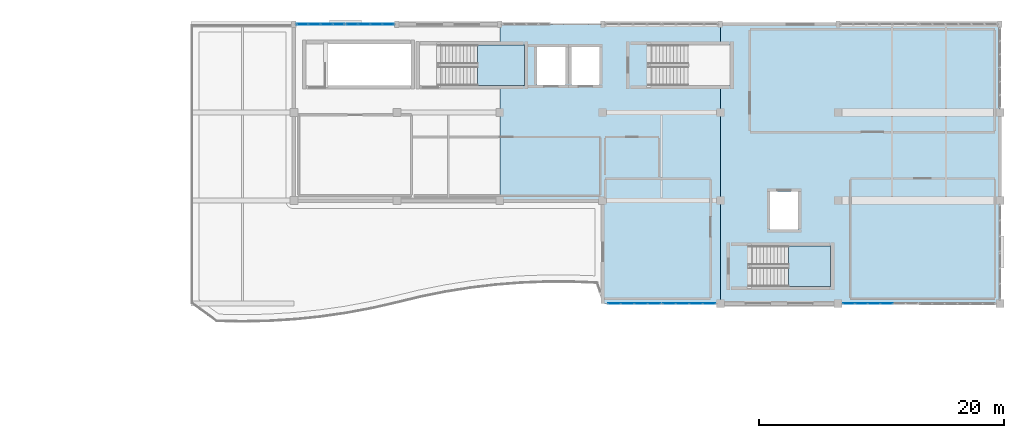
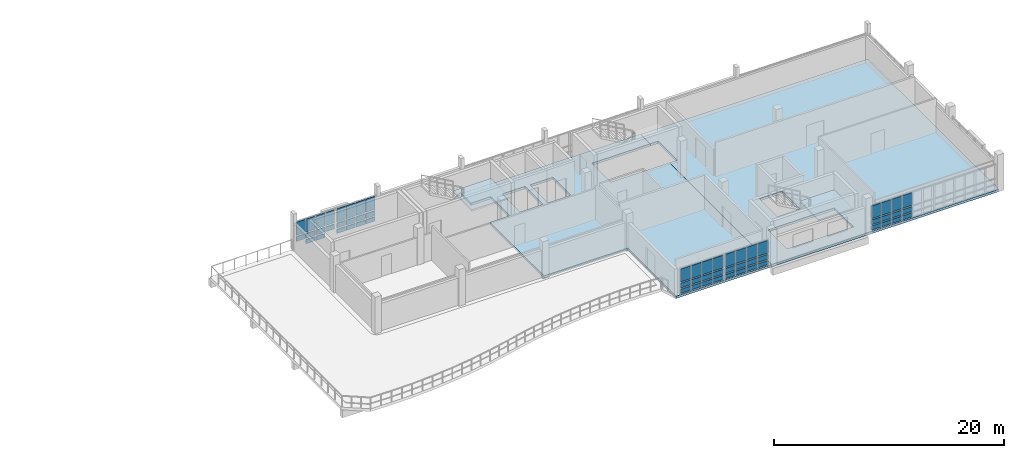
# One storey, part 17 of 25: 58 plates, 4 slabs, 7 elements without a shape of their own.
"""IFC4 building model written with IfcOpenShell, lengths in metres."""

from ifc_helpers import new_model, si_unit, direction, frame, origin, origin_2d, place, context, subcontext, project, spatial, polyline, rectangle, outline, extrude, material, layer, layer_set, type_object, element, aggregate, save


model = new_model("IFC4")

# Units and contexts
model_context = context("Model", 3, precision=1e-05, world=origin(), true_north=direction((0.0, 1.0)))
body_context = subcontext(model_context, "Body", "Model", "MODEL_VIEW")
ifc_project = project(units=[si_unit("LENGTHUNIT", "METRE"), si_unit("AREAUNIT", "SQUARE_METRE"), si_unit("VOLUMEUNIT", "CUBIC_METRE"), si_unit("PLANEANGLEUNIT", "RADIAN"), si_unit("MASSUNIT", "GRAM", prefix="KILO")], contexts=[model_context])

# Site, building, storey
site_placement = place(None, origin())
site = spatial("IfcSite", under=ifc_project, at=site_placement, CompositionType="ELEMENT")
building_placement = place(site_placement, origin())
building = spatial("IfcBuilding", under=site, at=building_placement, Name="Kisaragi Civic Commons", CompositionType="ELEMENT")
storey_placement = place(building_placement, frame((0.0, 0.0, 13.5)))
storey = spatial("IfcBuildingStorey", under=building, at=storey_placement, Name="L03", CompositionType="ELEMENT", Elevation=13.5)

# Curtain wall, plates
ifc_material_1 = material(Name="Thermally broken anodized aluminium and low-E double glazing", Category="aluminium")
ifc_layer_1 = layer(ifc_material_1, 0.179931640625, Name="Thermally broken anodized aluminium and low-E double glazing", Category="aluminium")
ifc_layer_set_1 = layer_set([ifc_layer_1], Name="Thermally broken anodized aluminium and low-E double glazing")
curtain_wall_type = type_object("IfcCurtainWallType", Name="CW-01", PredefinedType="NOTDEFINED", material=ifc_layer_set_1)
curtain_wall_1_placement = place(storey_placement, origin())
curtain_wall_1 = element("IfcCurtainWall", 1, at=curtain_wall_1_placement, inside=storey, type_object=curtain_wall_type, Name="L03 curtain wall CW-01 CW-V4-L03-108", PredefinedType="NOTDEFINED")
ifc_layer_2 = layer(ifc_material_1, 0.048095703125, Name="Thermally broken anodized aluminium and low-E double glazing", Category="aluminium")
ifc_layer_set_2 = layer_set([ifc_layer_2], Name="Thermally broken anodized aluminium and low-E double glazing")
plate_type_1 = type_object("IfcPlateType", Name="CWP-05", PredefinedType="CURTAIN_PANEL", material=ifc_layer_set_2)
plate_1_placement = place(storey_placement, frame((137.168212890625, 96.0, 0.14013671875), z_axis=(0.0, 0.0, 1.0), x_axis=(-1.0, 0.0, 0.0)))
plate_1 = element("IfcPlate", 2, at=plate_1_placement, type_object=plate_type_1, Name="CW-01 panel 3.1", PredefinedType="CURTAIN_PANEL", context=body_context, shape_type="SweptSolid", body=[
    extrude(rectangle(XDim=0.9716796875, YDim=0.048095703125, at=origin_2d()), origin(), (0.0, 0.0, 1.0), 0.43994140625),
])
plate_2_placement = place(storey_placement, frame((137.168212890625, 96.0, 0.72021484375), z_axis=(0.0, 0.0, 1.0), x_axis=(-1.0, 0.0, 0.0)))
plate_2 = element("IfcPlate", 3, at=plate_2_placement, type_object=plate_type_1, Name="CW-01 panel 3.2", PredefinedType="CURTAIN_PANEL", context=body_context, shape_type="SweptSolid", body=[
    extrude(rectangle(XDim=0.9716796875, YDim=0.048095703125, at=origin_2d()), origin(), (0.0, 0.0, 1.0), 0.510009765625),
])
plate_3_placement = place(storey_placement, frame((137.168212890625, 96.0, 1.3701171875), z_axis=(0.0, 0.0, 1.0), x_axis=(-1.0, 0.0, 0.0)))
plate_3 = element("IfcPlate", 4, at=plate_3_placement, type_object=plate_type_1, Name="CW-01 panel 3.3", PredefinedType="CURTAIN_PANEL", context=body_context, shape_type="SweptSolid", body=[
    extrude(rectangle(XDim=0.9716796875, YDim=0.048095703125, at=origin_2d()), origin(), (0.0, 0.0, 1.0), 1.344970703125),
])
plate_4_placement = place(storey_placement, frame((136.131591796875, 96.0, 0.14013671875), z_axis=(0.0, 0.0, 1.0), x_axis=(-1.0, 0.0, 0.0)))
plate_4 = element("IfcPlate", 5, at=plate_4_placement, type_object=plate_type_1, Name="CW-01 panel 4.1", PredefinedType="CURTAIN_PANEL", context=body_context, shape_type="SweptSolid", body=[
    extrude(rectangle(XDim=0.9716796875, YDim=0.048095703125, at=origin_2d()), origin(), (0.0, 0.0, 1.0), 0.43994140625),
])
plate_5_placement = place(storey_placement, frame((136.131591796875, 96.0, 0.72021484375), z_axis=(0.0, 0.0, 1.0), x_axis=(-1.0, 0.0, 0.0)))
plate_5 = element("IfcPlate", 6, at=plate_5_placement, type_object=plate_type_1, Name="CW-01 panel 4.2", PredefinedType="CURTAIN_PANEL", context=body_context, shape_type="SweptSolid", body=[
    extrude(rectangle(XDim=0.9716796875, YDim=0.048095703125, at=origin_2d()), origin(), (0.0, 0.0, 1.0), 0.510009765625),
])
plate_6_placement = place(storey_placement, frame((136.131591796875, 96.0, 1.3701171875), z_axis=(0.0, 0.0, 1.0), x_axis=(-1.0, 0.0, 0.0)))
plate_6 = element("IfcPlate", 7, at=plate_6_placement, type_object=plate_type_1, Name="CW-01 panel 4.3", PredefinedType="CURTAIN_PANEL", context=body_context, shape_type="SweptSolid", body=[
    extrude(rectangle(XDim=0.9716796875, YDim=0.048095703125, at=origin_2d()), origin(), (0.0, 0.0, 1.0), 1.344970703125),
])
plate_7_placement = place(storey_placement, frame((135.094970703125, 96.0, 0.14013671875), z_axis=(0.0, 0.0, 1.0), x_axis=(-1.0, 0.0, 0.0)))
plate_7 = element("IfcPlate", 8, at=plate_7_placement, type_object=plate_type_1, Name="CW-01 panel 5.1", PredefinedType="CURTAIN_PANEL", context=body_context, shape_type="SweptSolid", body=[
    extrude(rectangle(XDim=0.9716796875, YDim=0.048095703125, at=origin_2d()), origin(), (0.0, 0.0, 1.0), 0.43994140625),
])
plate_8_placement = place(storey_placement, frame((135.094970703125, 96.0, 0.72021484375), z_axis=(0.0, 0.0, 1.0), x_axis=(-1.0, 0.0, 0.0)))
plate_8 = element("IfcPlate", 9, at=plate_8_placement, type_object=plate_type_1, Name="CW-01 panel 5.2", PredefinedType="CURTAIN_PANEL", context=body_context, shape_type="SweptSolid", body=[
    extrude(rectangle(XDim=0.9716796875, YDim=0.048095703125, at=origin_2d()), origin(), (0.0, 0.0, 1.0), 0.510009765625),
])
plate_9_placement = place(storey_placement, frame((135.094970703125, 96.0, 1.3701171875), z_axis=(0.0, 0.0, 1.0), x_axis=(-1.0, 0.0, 0.0)))
plate_9 = element("IfcPlate", 10, at=plate_9_placement, type_object=plate_type_1, Name="CW-01 panel 5.3", PredefinedType="CURTAIN_PANEL", context=body_context, shape_type="SweptSolid", body=[
    extrude(rectangle(XDim=0.9716796875, YDim=0.048095703125, at=origin_2d()), origin(), (0.0, 0.0, 1.0), 1.344970703125),
])
plate_10_placement = place(storey_placement, frame((134.074462890625, 96.0, 0.14013671875), z_axis=(0.0, 0.0, 1.0), x_axis=(-1.0, 0.0, 0.0)))
plate_10 = element("IfcPlate", 11, at=plate_10_placement, type_object=plate_type_1, Name="CW-01 panel 6.1", PredefinedType="CURTAIN_PANEL", context=body_context, shape_type="SweptSolid", body=[
    extrude(rectangle(XDim=0.939208984375, YDim=0.048095703125, at=origin_2d()), origin(), (0.0, 0.0, 1.0), 0.43994140625),
])
plate_11_placement = place(storey_placement, frame((134.074462890625, 96.0, 0.72021484375), z_axis=(0.0, 0.0, 1.0), x_axis=(-1.0, 0.0, 0.0)))
plate_11 = element("IfcPlate", 12, at=plate_11_placement, type_object=plate_type_1, Name="CW-01 panel 6.2", PredefinedType="CURTAIN_PANEL", context=body_context, shape_type="SweptSolid", body=[
    extrude(rectangle(XDim=0.939208984375, YDim=0.048095703125, at=origin_2d()), origin(), (0.0, 0.0, 1.0), 0.510009765625),
])
plate_12_placement = place(storey_placement, frame((134.074462890625, 96.0, 1.3701171875), z_axis=(0.0, 0.0, 1.0), x_axis=(-1.0, 0.0, 0.0)))
plate_12 = element("IfcPlate", 13, at=plate_12_placement, type_object=plate_type_1, Name="CW-01 panel 6.3", PredefinedType="CURTAIN_PANEL", context=body_context, shape_type="SweptSolid", body=[
    extrude(rectangle(XDim=0.939208984375, YDim=0.048095703125, at=origin_2d()), origin(), (0.0, 0.0, 1.0), 1.344970703125),
])
aggregate(curtain_wall_1, [plate_1, plate_2, plate_3, plate_4, plate_5, plate_6, plate_7, plate_8, plate_9, plate_10, plate_11, plate_12])

curtain_wall_2_placement = place(storey_placement, origin())
curtain_wall_2 = element("IfcCurtainWall", 14, at=curtain_wall_2_placement, inside=storey, type_object=curtain_wall_type, Name="L03 curtain wall CW-01 CW-V4-L03-109", PredefinedType="NOTDEFINED")
ifc_layer_3 = layer(ifc_material_1, 0.055908203125, Name="Thermally broken anodized aluminium and low-E double glazing", Category="aluminium")
ifc_layer_set_3 = layer_set([ifc_layer_3], Name="Thermally broken anodized aluminium and low-E double glazing")
plate_type_2 = type_object("IfcPlateType", Name="CWP-06", PredefinedType="CURTAIN_PANEL", material=ifc_layer_set_3)
plate_13_placement = place(storey_placement, frame((122.69384765625, 96.0, 0.14013671875), z_axis=(0.0, 0.0, 1.0), x_axis=(-1.0, 0.0, 0.0)))
plate_13 = element("IfcPlate", 15, at=plate_13_placement, type_object=plate_type_2, Name="CW-01 panel 1.1", PredefinedType="CURTAIN_PANEL", context=body_context, shape_type="SweptSolid", body=[
    extrude(rectangle(XDim=1.00244140625, YDim=0.055908203125, at=origin_2d()), origin(), (0.0, 0.0, 1.0), 0.43994140625),
])
plate_14_placement = place(storey_placement, frame((122.69384765625, 96.0, 0.72021484375), z_axis=(0.0, 0.0, 1.0), x_axis=(-1.0, 0.0, 0.0)))
plate_14 = element("IfcPlate", 16, at=plate_14_placement, type_object=plate_type_2, Name="CW-01 panel 1.2", PredefinedType="CURTAIN_PANEL", context=body_context, shape_type="SweptSolid", body=[
    extrude(rectangle(XDim=1.00244140625, YDim=0.055908203125, at=origin_2d()), origin(), (0.0, 0.0, 1.0), 0.510009765625),
])
plate_15_placement = place(storey_placement, frame((122.69384765625, 96.0, 1.3701171875), z_axis=(0.0, 0.0, 1.0), x_axis=(-1.0, 0.0, 0.0)))
plate_15 = element("IfcPlate", 17, at=plate_15_placement, type_object=plate_type_2, Name="CW-01 panel 1.3", PredefinedType="CURTAIN_PANEL", context=body_context, shape_type="SweptSolid", body=[
    extrude(rectangle(XDim=1.00244140625, YDim=0.055908203125, at=origin_2d()), origin(), (0.0, 0.0, 1.0), 1.344970703125),
])
plate_16_placement = place(storey_placement, frame((121.610107421875, 96.0, 0.14013671875), z_axis=(0.0, 0.0, 1.0), x_axis=(-1.0, 0.0, 0.0)))
plate_16 = element("IfcPlate", 18, at=plate_16_placement, type_object=plate_type_2, Name="CW-01 panel 2.1", PredefinedType="CURTAIN_PANEL", context=body_context, shape_type="SweptSolid", body=[
    extrude(rectangle(XDim=1.034912109375, YDim=0.055908203125, at=origin_2d()), origin(), (0.0, 0.0, 1.0), 0.43994140625),
])
plate_17_placement = place(storey_placement, frame((121.610107421875, 96.0, 0.72021484375), z_axis=(0.0, 0.0, 1.0), x_axis=(-1.0, 0.0, 0.0)))
plate_17 = element("IfcPlate", 19, at=plate_17_placement, type_object=plate_type_2, Name="CW-01 panel 2.2", PredefinedType="CURTAIN_PANEL", context=body_context, shape_type="SweptSolid", body=[
    extrude(rectangle(XDim=1.034912109375, YDim=0.055908203125, at=origin_2d()), origin(), (0.0, 0.0, 1.0), 0.510009765625),
])
plate_18_placement = place(storey_placement, frame((121.610107421875, 96.0, 1.3701171875), z_axis=(0.0, 0.0, 1.0), x_axis=(-1.0, 0.0, 0.0)))
plate_18 = element("IfcPlate", 20, at=plate_18_placement, type_object=plate_type_2, Name="CW-01 panel 2.3", PredefinedType="CURTAIN_PANEL", context=body_context, shape_type="SweptSolid", body=[
    extrude(rectangle(XDim=1.034912109375, YDim=0.055908203125, at=origin_2d()), origin(), (0.0, 0.0, 1.0), 1.344970703125),
])
plate_19_placement = place(storey_placement, frame((120.510009765625, 96.0, 0.14013671875), z_axis=(0.0, 0.0, 1.0), x_axis=(-1.0, 0.0, 0.0)))
plate_19 = element("IfcPlate", 21, at=plate_19_placement, type_object=plate_type_2, Name="CW-01 panel 3.1", PredefinedType="CURTAIN_PANEL", context=body_context, shape_type="SweptSolid", body=[
    extrude(rectangle(XDim=1.034912109375, YDim=0.055908203125, at=origin_2d()), origin(), (0.0, 0.0, 1.0), 0.43994140625),
])
plate_20_placement = place(storey_placement, frame((120.510009765625, 96.0, 0.72021484375), z_axis=(0.0, 0.0, 1.0), x_axis=(-1.0, 0.0, 0.0)))
plate_20 = element("IfcPlate", 22, at=plate_20_placement, type_object=plate_type_2, Name="CW-01 panel 3.2", PredefinedType="CURTAIN_PANEL", context=body_context, shape_type="SweptSolid", body=[
    extrude(rectangle(XDim=1.034912109375, YDim=0.055908203125, at=origin_2d()), origin(), (0.0, 0.0, 1.0), 0.510009765625),
])
plate_21_placement = place(storey_placement, frame((120.510009765625, 96.0, 1.3701171875), z_axis=(0.0, 0.0, 1.0), x_axis=(-1.0, 0.0, 0.0)))
plate_21 = element("IfcPlate", 23, at=plate_21_placement, type_object=plate_type_2, Name="CW-01 panel 3.3", PredefinedType="CURTAIN_PANEL", context=body_context, shape_type="SweptSolid", body=[
    extrude(rectangle(XDim=1.034912109375, YDim=0.055908203125, at=origin_2d()), origin(), (0.0, 0.0, 1.0), 1.344970703125),
])
plate_22_placement = place(storey_placement, frame((119.42626953125, 96.0, 0.14013671875), z_axis=(0.0, 0.0, 1.0), x_axis=(-1.0, 0.0, 0.0)))
plate_22 = element("IfcPlate", 24, at=plate_22_placement, type_object=plate_type_2, Name="CW-01 panel 4.1", PredefinedType="CURTAIN_PANEL", context=body_context, shape_type="SweptSolid", body=[
    extrude(rectangle(XDim=1.00244140625, YDim=0.055908203125, at=origin_2d()), origin(), (0.0, 0.0, 1.0), 0.43994140625),
])
plate_23_placement = place(storey_placement, frame((119.42626953125, 96.0, 0.72021484375), z_axis=(0.0, 0.0, 1.0), x_axis=(-1.0, 0.0, 0.0)))
plate_23 = element("IfcPlate", 25, at=plate_23_placement, type_object=plate_type_2, Name="CW-01 panel 4.2", PredefinedType="CURTAIN_PANEL", context=body_context, shape_type="SweptSolid", body=[
    extrude(rectangle(XDim=1.00244140625, YDim=0.055908203125, at=origin_2d()), origin(), (0.0, 0.0, 1.0), 0.510009765625),
])
plate_24_placement = place(storey_placement, frame((119.42626953125, 96.0, 1.3701171875), z_axis=(0.0, 0.0, 1.0), x_axis=(-1.0, 0.0, 0.0)))
plate_24 = element("IfcPlate", 26, at=plate_24_placement, type_object=plate_type_2, Name="CW-01 panel 4.3", PredefinedType="CURTAIN_PANEL", context=body_context, shape_type="SweptSolid", body=[
    extrude(rectangle(XDim=1.00244140625, YDim=0.055908203125, at=origin_2d()), origin(), (0.0, 0.0, 1.0), 1.344970703125),
])
aggregate(curtain_wall_2, [plate_13, plate_14, plate_15, plate_16, plate_17, plate_18, plate_19, plate_20, plate_21, plate_22, plate_23, plate_24])

curtain_wall_3_placement = place(storey_placement, origin())
curtain_wall_3 = element("IfcCurtainWall", 27, at=curtain_wall_3_placement, inside=storey, type_object=curtain_wall_type, Name="L03 curtain wall CW-01 CW-V4-L03-095", PredefinedType="NOTDEFINED")
ifc_layer_4 = layer(ifc_material_1, 0.06005859375, Name="Thermally broken anodized aluminium and low-E double glazing", Category="aluminium")
ifc_layer_set_4 = layer_set([ifc_layer_4], Name="Thermally broken anodized aluminium and low-E double glazing")
plate_type_3 = type_object("IfcPlateType", Name="CWP-07", PredefinedType="CURTAIN_PANEL", material=ifc_layer_set_4)
plate_25_placement = place(storey_placement, frame((89.50244140625, 118.800048828125, 0.72021484375), z_axis=(0.0, 0.0, 1.0), x_axis=(1.0, 0.0, 0.0)))
plate_25 = element("IfcPlate", 28, at=plate_25_placement, type_object=plate_type_3, Name="CW-01 panel 1.2", PredefinedType="CURTAIN_PANEL", context=body_context, shape_type="SweptSolid", body=[
    extrude(rectangle(XDim=0.89501953125, YDim=0.06005859375, at=origin_2d()), origin(), (0.0, 0.0, 1.0), 0.510009765625),
])
plate_26_placement = place(storey_placement, frame((89.50244140625, 118.800048828125, 1.369873046875), z_axis=(0.0, 0.0, 1.0), x_axis=(1.0, 0.0, 0.0)))
plate_26 = element("IfcPlate", 29, at=plate_26_placement, type_object=plate_type_3, Name="CW-01 panel 1.3", PredefinedType="CURTAIN_PANEL", context=body_context, shape_type="SweptSolid", body=[
    extrude(rectangle(XDim=0.89501953125, YDim=0.06005859375, at=origin_2d()), origin(), (0.0, 0.0, 1.0), 1.39501953125),
])
plate_27_placement = place(storey_placement, frame((90.478759765625, 118.800048828125, 0.14013671875), z_axis=(0.0, 0.0, 1.0), x_axis=(1.0, 0.0, 0.0)))
plate_27 = element("IfcPlate", 30, at=plate_27_placement, type_object=plate_type_3, Name="CW-01 panel 2.1", PredefinedType="CURTAIN_PANEL", context=body_context, shape_type="SweptSolid", body=[
    extrude(rectangle(XDim=0.927490234375, YDim=0.06005859375, at=origin_2d()), origin(), (0.0, 0.0, 1.0), 0.43994140625),
])
plate_28_placement = place(storey_placement, frame((90.478759765625, 118.800048828125, 0.72021484375), z_axis=(0.0, 0.0, 1.0), x_axis=(1.0, 0.0, 0.0)))
plate_28 = element("IfcPlate", 31, at=plate_28_placement, type_object=plate_type_3, Name="CW-01 panel 2.2", PredefinedType="CURTAIN_PANEL", context=body_context, shape_type="SweptSolid", body=[
    extrude(rectangle(XDim=0.927490234375, YDim=0.06005859375, at=origin_2d()), origin(), (0.0, 0.0, 1.0), 0.510009765625),
])
plate_29_placement = place(storey_placement, frame((90.478759765625, 118.800048828125, 1.369873046875), z_axis=(0.0, 0.0, 1.0), x_axis=(1.0, 0.0, 0.0)))
plate_29 = element("IfcPlate", 32, at=plate_29_placement, type_object=plate_type_3, Name="CW-01 panel 2.3", PredefinedType="CURTAIN_PANEL", context=body_context, shape_type="SweptSolid", body=[
    extrude(rectangle(XDim=0.927490234375, YDim=0.06005859375, at=origin_2d()), origin(), (0.0, 0.0, 1.0), 1.39501953125),
])
plate_30_placement = place(storey_placement, frame((91.47119140625, 118.800048828125, 0.14013671875), z_axis=(0.0, 0.0, 1.0), x_axis=(1.0, 0.0, 0.0)))
plate_30 = element("IfcPlate", 33, at=plate_30_placement, type_object=plate_type_3, Name="CW-01 panel 3.1", PredefinedType="CURTAIN_PANEL", context=body_context, shape_type="SweptSolid", body=[
    extrude(rectangle(XDim=0.927490234375, YDim=0.06005859375, at=origin_2d()), origin(), (0.0, 0.0, 1.0), 0.43994140625),
])
plate_31_placement = place(storey_placement, frame((91.47119140625, 118.800048828125, 0.72021484375), z_axis=(0.0, 0.0, 1.0), x_axis=(1.0, 0.0, 0.0)))
plate_31 = element("IfcPlate", 34, at=plate_31_placement, type_object=plate_type_3, Name="CW-01 panel 3.2", PredefinedType="CURTAIN_PANEL", context=body_context, shape_type="SweptSolid", body=[
    extrude(rectangle(XDim=0.927490234375, YDim=0.06005859375, at=origin_2d()), origin(), (0.0, 0.0, 1.0), 0.510009765625),
])
plate_32_placement = place(storey_placement, frame((91.47119140625, 118.800048828125, 1.369873046875), z_axis=(0.0, 0.0, 1.0), x_axis=(1.0, 0.0, 0.0)))
plate_32 = element("IfcPlate", 35, at=plate_32_placement, type_object=plate_type_3, Name="CW-01 panel 3.3", PredefinedType="CURTAIN_PANEL", context=body_context, shape_type="SweptSolid", body=[
    extrude(rectangle(XDim=0.927490234375, YDim=0.06005859375, at=origin_2d()), origin(), (0.0, 0.0, 1.0), 1.39501953125),
])
plate_33_placement = place(storey_placement, frame((92.447509765625, 118.800048828125, 0.72021484375), z_axis=(0.0, 0.0, 1.0), x_axis=(1.0, 0.0, 0.0)))
plate_33 = element("IfcPlate", 36, at=plate_33_placement, type_object=plate_type_3, Name="CW-01 panel 4.2", PredefinedType="CURTAIN_PANEL", context=body_context, shape_type="SweptSolid", body=[
    extrude(rectangle(XDim=0.89501953125, YDim=0.06005859375, at=origin_2d()), origin(), (0.0, 0.0, 1.0), 0.510009765625),
])
plate_34_placement = place(storey_placement, frame((92.447509765625, 118.800048828125, 1.369873046875), z_axis=(0.0, 0.0, 1.0), x_axis=(1.0, 0.0, 0.0)))
plate_34 = element("IfcPlate", 37, at=plate_34_placement, type_object=plate_type_3, Name="CW-01 panel 4.3", PredefinedType="CURTAIN_PANEL", context=body_context, shape_type="SweptSolid", body=[
    extrude(rectangle(XDim=0.89501953125, YDim=0.06005859375, at=origin_2d()), origin(), (0.0, 0.0, 1.0), 1.39501953125),
])
aggregate(curtain_wall_3, [plate_25, plate_26, plate_27, plate_28, plate_29, plate_30, plate_31, plate_32, plate_33, plate_34])

curtain_wall_4_placement = place(storey_placement, origin())
curtain_wall_4 = element("IfcCurtainWall", 38, at=curtain_wall_4_placement, inside=storey, type_object=curtain_wall_type, Name="L03 curtain wall CW-01 CW-V4-L03-110", PredefinedType="NOTDEFINED")
plate_35_placement = place(storey_placement, frame((118.2138671875, 96.0, 0.14013671875), z_axis=(0.0, 0.0, 1.0), x_axis=(-1.0, 0.0, 0.0)))
plate_35 = element("IfcPlate", 39, at=plate_35_placement, type_object=plate_type_3, Name="CW-01 panel 1.1", PredefinedType="CURTAIN_PANEL", context=body_context, shape_type="SweptSolid", body=[
    extrude(rectangle(XDim=1.00244140625, YDim=0.06005859375, at=origin_2d()), origin(), (0.0, 0.0, 1.0), 0.43994140625),
])
plate_36_placement = place(storey_placement, frame((118.2138671875, 96.0, 0.72021484375), z_axis=(0.0, 0.0, 1.0), x_axis=(-1.0, 0.0, 0.0)))
plate_36 = element("IfcPlate", 40, at=plate_36_placement, type_object=plate_type_3, Name="CW-01 panel 1.2", PredefinedType="CURTAIN_PANEL", context=body_context, shape_type="SweptSolid", body=[
    extrude(rectangle(XDim=1.00244140625, YDim=0.06005859375, at=origin_2d()), origin(), (0.0, 0.0, 1.0), 0.510009765625),
])
plate_37_placement = place(storey_placement, frame((118.2138671875, 96.0, 1.3701171875), z_axis=(0.0, 0.0, 1.0), x_axis=(-1.0, 0.0, 0.0)))
plate_37 = element("IfcPlate", 41, at=plate_37_placement, type_object=plate_type_3, Name="CW-01 panel 1.3", PredefinedType="CURTAIN_PANEL", context=body_context, shape_type="SweptSolid", body=[
    extrude(rectangle(XDim=1.00244140625, YDim=0.06005859375, at=origin_2d()), origin(), (0.0, 0.0, 1.0), 1.344970703125),
])
plate_38_placement = place(storey_placement, frame((117.1298828125, 96.0, 0.14013671875), z_axis=(0.0, 0.0, 1.0), x_axis=(-1.0, 0.0, 0.0)))
plate_38 = element("IfcPlate", 42, at=plate_38_placement, type_object=plate_type_3, Name="CW-01 panel 2.1", PredefinedType="CURTAIN_PANEL", context=body_context, shape_type="SweptSolid", body=[
    extrude(rectangle(XDim=1.034912109375, YDim=0.06005859375, at=origin_2d()), origin(), (0.0, 0.0, 1.0), 0.43994140625),
])
plate_39_placement = place(storey_placement, frame((117.1298828125, 96.0, 0.72021484375), z_axis=(0.0, 0.0, 1.0), x_axis=(-1.0, 0.0, 0.0)))
plate_39 = element("IfcPlate", 43, at=plate_39_placement, type_object=plate_type_3, Name="CW-01 panel 2.2", PredefinedType="CURTAIN_PANEL", context=body_context, shape_type="SweptSolid", body=[
    extrude(rectangle(XDim=1.034912109375, YDim=0.06005859375, at=origin_2d()), origin(), (0.0, 0.0, 1.0), 0.510009765625),
])
plate_40_placement = place(storey_placement, frame((117.1298828125, 96.0, 1.3701171875), z_axis=(0.0, 0.0, 1.0), x_axis=(-1.0, 0.0, 0.0)))
plate_40 = element("IfcPlate", 44, at=plate_40_placement, type_object=plate_type_3, Name="CW-01 panel 2.3", PredefinedType="CURTAIN_PANEL", context=body_context, shape_type="SweptSolid", body=[
    extrude(rectangle(XDim=1.034912109375, YDim=0.06005859375, at=origin_2d()), origin(), (0.0, 0.0, 1.0), 1.344970703125),
])
plate_41_placement = place(storey_placement, frame((116.030029296875, 96.0, 0.14013671875), z_axis=(0.0, 0.0, 1.0), x_axis=(-1.0, 0.0, 0.0)))
plate_41 = element("IfcPlate", 45, at=plate_41_placement, type_object=plate_type_3, Name="CW-01 panel 3.1", PredefinedType="CURTAIN_PANEL", context=body_context, shape_type="SweptSolid", body=[
    extrude(rectangle(XDim=1.034912109375, YDim=0.06005859375, at=origin_2d()), origin(), (0.0, 0.0, 1.0), 0.43994140625),
])
plate_42_placement = place(storey_placement, frame((116.030029296875, 96.0, 0.72021484375), z_axis=(0.0, 0.0, 1.0), x_axis=(-1.0, 0.0, 0.0)))
plate_42 = element("IfcPlate", 46, at=plate_42_placement, type_object=plate_type_3, Name="CW-01 panel 3.2", PredefinedType="CURTAIN_PANEL", context=body_context, shape_type="SweptSolid", body=[
    extrude(rectangle(XDim=1.034912109375, YDim=0.06005859375, at=origin_2d()), origin(), (0.0, 0.0, 1.0), 0.510009765625),
])
plate_43_placement = place(storey_placement, frame((116.030029296875, 96.0, 1.3701171875), z_axis=(0.0, 0.0, 1.0), x_axis=(-1.0, 0.0, 0.0)))
plate_43 = element("IfcPlate", 47, at=plate_43_placement, type_object=plate_type_3, Name="CW-01 panel 3.3", PredefinedType="CURTAIN_PANEL", context=body_context, shape_type="SweptSolid", body=[
    extrude(rectangle(XDim=1.034912109375, YDim=0.06005859375, at=origin_2d()), origin(), (0.0, 0.0, 1.0), 1.344970703125),
])
plate_44_placement = place(storey_placement, frame((114.9462890625, 96.0, 0.14013671875), z_axis=(0.0, 0.0, 1.0), x_axis=(-1.0, 0.0, 0.0)))
plate_44 = element("IfcPlate", 48, at=plate_44_placement, type_object=plate_type_3, Name="CW-01 panel 4.1", PredefinedType="CURTAIN_PANEL", context=body_context, shape_type="SweptSolid", body=[
    extrude(rectangle(XDim=1.00244140625, YDim=0.06005859375, at=origin_2d()), origin(), (0.0, 0.0, 1.0), 0.43994140625),
])
plate_45_placement = place(storey_placement, frame((114.9462890625, 96.0, 0.72021484375), z_axis=(0.0, 0.0, 1.0), x_axis=(-1.0, 0.0, 0.0)))
plate_45 = element("IfcPlate", 49, at=plate_45_placement, type_object=plate_type_3, Name="CW-01 panel 4.2", PredefinedType="CURTAIN_PANEL", context=body_context, shape_type="SweptSolid", body=[
    extrude(rectangle(XDim=1.00244140625, YDim=0.06005859375, at=origin_2d()), origin(), (0.0, 0.0, 1.0), 0.510009765625),
])
plate_46_placement = place(storey_placement, frame((114.9462890625, 96.0, 1.3701171875), z_axis=(0.0, 0.0, 1.0), x_axis=(-1.0, 0.0, 0.0)))
plate_46 = element("IfcPlate", 50, at=plate_46_placement, type_object=plate_type_3, Name="CW-01 panel 4.3", PredefinedType="CURTAIN_PANEL", context=body_context, shape_type="SweptSolid", body=[
    extrude(rectangle(XDim=1.00244140625, YDim=0.06005859375, at=origin_2d()), origin(), (0.0, 0.0, 1.0), 1.344970703125),
])
aggregate(curtain_wall_4, [plate_35, plate_36, plate_37, plate_38, plate_39, plate_40, plate_41, plate_42, plate_43, plate_44, plate_45, plate_46])

curtain_wall_5_placement = place(storey_placement, origin())
curtain_wall_5 = element("IfcCurtainWall", 51, at=curtain_wall_5_placement, inside=storey, type_object=curtain_wall_type, Name="L03 curtain wall CW-01 CW-V4-L03-096", PredefinedType="NOTDEFINED")
ifc_layer_5 = layer(ifc_material_1, 0.073974609375, Name="Thermally broken anodized aluminium and low-E double glazing", Category="aluminium")
ifc_layer_set_5 = layer_set([ifc_layer_5], Name="Thermally broken anodized aluminium and low-E double glazing")
plate_type_4 = type_object("IfcPlateType", Name="CWP-09", PredefinedType="CURTAIN_PANEL", material=ifc_layer_set_5)
plate_47_placement = place(storey_placement, frame((93.552490234375, 118.800048828125, 0.14013671875), z_axis=(0.0, 0.0, 1.0), x_axis=(1.0, 0.0, 0.0)))
plate_47 = element("IfcPlate", 52, at=plate_47_placement, type_object=plate_type_4, Name="CW-01 panel 1.1", PredefinedType="CURTAIN_PANEL", context=body_context, shape_type="SweptSolid", body=[
    extrude(rectangle(XDim=0.89501953125, YDim=0.073974609375, at=origin_2d()), origin(), (0.0, 0.0, 1.0), 0.43994140625),
])
plate_48_placement = place(storey_placement, frame((93.552490234375, 118.800048828125, 0.72021484375), z_axis=(0.0, 0.0, 1.0), x_axis=(1.0, 0.0, 0.0)))
plate_48 = element("IfcPlate", 53, at=plate_48_placement, type_object=plate_type_4, Name="CW-01 panel 1.2", PredefinedType="CURTAIN_PANEL", context=body_context, shape_type="SweptSolid", body=[
    extrude(rectangle(XDim=0.89501953125, YDim=0.073974609375, at=origin_2d()), origin(), (0.0, 0.0, 1.0), 0.510009765625),
])
plate_49_placement = place(storey_placement, frame((93.552490234375, 118.800048828125, 1.369873046875), z_axis=(0.0, 0.0, 1.0), x_axis=(1.0, 0.0, 0.0)))
plate_49 = element("IfcPlate", 54, at=plate_49_placement, type_object=plate_type_4, Name="CW-01 panel 1.3", PredefinedType="CURTAIN_PANEL", context=body_context, shape_type="SweptSolid", body=[
    extrude(rectangle(XDim=0.89501953125, YDim=0.073974609375, at=origin_2d()), origin(), (0.0, 0.0, 1.0), 1.39501953125),
])
plate_50_placement = place(storey_placement, frame((94.52880859375, 118.800048828125, 0.14013671875), z_axis=(0.0, 0.0, 1.0), x_axis=(1.0, 0.0, 0.0)))
plate_50 = element("IfcPlate", 55, at=plate_50_placement, type_object=plate_type_4, Name="CW-01 panel 2.1", PredefinedType="CURTAIN_PANEL", context=body_context, shape_type="SweptSolid", body=[
    extrude(rectangle(XDim=0.927490234375, YDim=0.073974609375, at=origin_2d()), origin(), (0.0, 0.0, 1.0), 0.43994140625),
])
plate_51_placement = place(storey_placement, frame((94.52880859375, 118.800048828125, 0.72021484375), z_axis=(0.0, 0.0, 1.0), x_axis=(1.0, 0.0, 0.0)))
plate_51 = element("IfcPlate", 56, at=plate_51_placement, type_object=plate_type_4, Name="CW-01 panel 2.2", PredefinedType="CURTAIN_PANEL", context=body_context, shape_type="SweptSolid", body=[
    extrude(rectangle(XDim=0.927490234375, YDim=0.073974609375, at=origin_2d()), origin(), (0.0, 0.0, 1.0), 0.510009765625),
])
plate_52_placement = place(storey_placement, frame((94.52880859375, 118.800048828125, 1.369873046875), z_axis=(0.0, 0.0, 1.0), x_axis=(1.0, 0.0, 0.0)))
plate_52 = element("IfcPlate", 57, at=plate_52_placement, type_object=plate_type_4, Name="CW-01 panel 2.3", PredefinedType="CURTAIN_PANEL", context=body_context, shape_type="SweptSolid", body=[
    extrude(rectangle(XDim=0.927490234375, YDim=0.073974609375, at=origin_2d()), origin(), (0.0, 0.0, 1.0), 1.39501953125),
])
plate_53_placement = place(storey_placement, frame((95.521240234375, 118.800048828125, 0.14013671875), z_axis=(0.0, 0.0, 1.0), x_axis=(1.0, 0.0, 0.0)))
plate_53 = element("IfcPlate", 58, at=plate_53_placement, type_object=plate_type_4, Name="CW-01 panel 3.1", PredefinedType="CURTAIN_PANEL", context=body_context, shape_type="SweptSolid", body=[
    extrude(rectangle(XDim=0.927490234375, YDim=0.073974609375, at=origin_2d()), origin(), (0.0, 0.0, 1.0), 0.43994140625),
])
plate_54_placement = place(storey_placement, frame((95.521240234375, 118.800048828125, 0.72021484375), z_axis=(0.0, 0.0, 1.0), x_axis=(1.0, 0.0, 0.0)))
plate_54 = element("IfcPlate", 59, at=plate_54_placement, type_object=plate_type_4, Name="CW-01 panel 3.2", PredefinedType="CURTAIN_PANEL", context=body_context, shape_type="SweptSolid", body=[
    extrude(rectangle(XDim=0.927490234375, YDim=0.073974609375, at=origin_2d()), origin(), (0.0, 0.0, 1.0), 0.510009765625),
])
plate_55_placement = place(storey_placement, frame((95.521240234375, 118.800048828125, 1.369873046875), z_axis=(0.0, 0.0, 1.0), x_axis=(1.0, 0.0, 0.0)))
plate_55 = element("IfcPlate", 60, at=plate_55_placement, type_object=plate_type_4, Name="CW-01 panel 3.3", PredefinedType="CURTAIN_PANEL", context=body_context, shape_type="SweptSolid", body=[
    extrude(rectangle(XDim=0.927490234375, YDim=0.073974609375, at=origin_2d()), origin(), (0.0, 0.0, 1.0), 1.39501953125),
])
plate_56_placement = place(storey_placement, frame((96.49755859375, 118.800048828125, 0.14013671875), z_axis=(0.0, 0.0, 1.0), x_axis=(1.0, 0.0, 0.0)))
plate_56 = element("IfcPlate", 61, at=plate_56_placement, type_object=plate_type_4, Name="CW-01 panel 4.1", PredefinedType="CURTAIN_PANEL", context=body_context, shape_type="SweptSolid", body=[
    extrude(rectangle(XDim=0.89501953125, YDim=0.073974609375, at=origin_2d()), origin(), (0.0, 0.0, 1.0), 0.43994140625),
])
plate_57_placement = place(storey_placement, frame((96.49755859375, 118.800048828125, 0.72021484375), z_axis=(0.0, 0.0, 1.0), x_axis=(1.0, 0.0, 0.0)))
plate_57 = element("IfcPlate", 62, at=plate_57_placement, type_object=plate_type_4, Name="CW-01 panel 4.2", PredefinedType="CURTAIN_PANEL", context=body_context, shape_type="SweptSolid", body=[
    extrude(rectangle(XDim=0.89501953125, YDim=0.073974609375, at=origin_2d()), origin(), (0.0, 0.0, 1.0), 0.510009765625),
])
plate_58_placement = place(storey_placement, frame((96.49755859375, 118.800048828125, 1.369873046875), z_axis=(0.0, 0.0, 1.0), x_axis=(1.0, 0.0, 0.0)))
plate_58 = element("IfcPlate", 63, at=plate_58_placement, type_object=plate_type_4, Name="CW-01 panel 4.3", PredefinedType="CURTAIN_PANEL", context=body_context, shape_type="SweptSolid", body=[
    extrude(rectangle(XDim=0.89501953125, YDim=0.073974609375, at=origin_2d()), origin(), (0.0, 0.0, 1.0), 1.39501953125),
])
aggregate(curtain_wall_5, [plate_47, plate_48, plate_49, plate_50, plate_51, plate_52, plate_53, plate_54, plate_55, plate_56, plate_57, plate_58])

# Slabs
ifc_material_2 = material(Name="Concrete Fc30", Category="concrete")
ifc_layer_6 = layer(ifc_material_2, 0.25, Name="Concrete Fc30", Category="concrete")
ifc_layer_set_6 = layer_set([ifc_layer_6], Name="Concrete Fc30")
slab_type_1 = type_object("IfcSlabType", Name="SL-F3", PredefinedType="FLOOR", material=ifc_layer_set_6)
slab_1_placement = place(storey_placement, frame((0.0, 0.0, -0.25)))
element("IfcSlab", 64, at=slab_1_placement, inside=storey, type_object=slab_type_1, Name="V4 L03 slab SL-F3 51", PredefinedType="FLOOR", context=body_context, shape_type="SweptSolid", body=[
    extrude(outline(polyline([(105.60009765625, 118.800048828125), (105.60009765625, 117.10009765625), (107.60009765625, 117.10009765625), (107.60009765625, 113.800048828125), (105.60009765625, 113.800048828125), (105.60009765625, 104.39990234375), (114.0, 104.39990234375), (114.0, 96.0), (123.60009765625, 96.0), (123.60009765625, 113.800048828125), (117.75, 113.800048828125), (117.75, 117.10009765625), (123.60009765625, 117.10009765625), (123.60009765625, 118.800048828125), (105.60009765625, 118.800048828125)]), holes=[polyline([(108.64990234375, 116.949951171875), (108.64990234375, 113.85009765625), (110.949951171875, 113.85009765625), (110.949951171875, 116.949951171875), (108.64990234375, 116.949951171875)]), polyline([(111.449951171875, 116.949951171875), (111.449951171875, 113.85009765625), (113.75, 113.85009765625), (113.75, 116.949951171875), (111.449951171875, 116.949951171875)])]), origin(), (0.0, 0.0, 1.0), 0.25),
])
slab_2_placement = place(storey_placement, frame((0.0, 0.0, -0.25)))
element("IfcSlab", 65, at=slab_2_placement, inside=storey, type_object=slab_type_1, Name="V4 L03 slab SL-F3 52", PredefinedType="FLOOR", context=body_context, shape_type="SweptSolid", body=[
    extrude(outline(polyline([(123.60009765625, 118.800048828125), (123.60009765625, 117.10009765625), (124.39990234375, 117.10009765625), (124.39990234375, 113.800048828125), (123.60009765625, 113.800048828125), (123.60009765625, 96.0), (146.39990234375, 96.0), (146.39990234375, 118.800048828125), (123.60009765625, 118.800048828125)]), holes=[polyline([(125.949951171875, 97.39990234375), (132.60009765625, 97.39990234375), (132.60009765625, 100.699951171875), (125.949951171875, 100.699951171875), (125.949951171875, 97.39990234375)]), polyline([(127.64990234375, 105.14990234375), (127.64990234375, 102.050048828125), (129.949951171875, 102.050048828125), (129.949951171875, 105.14990234375), (127.64990234375, 105.14990234375)])]), origin(), (0.0, 0.0, 1.0), 0.25),
])

# Stair, slab
stair_type = type_object("IfcStairType", Name="ST-A", PredefinedType="HALF_TURN_STAIR", material=ifc_material_2)
stair_1_placement = place(storey_placement, origin())
stair_1 = element("IfcStair", 66, at=stair_1_placement, inside=storey, type_object=stair_type, Name="L03 Stair ST-L1", PredefinedType="HALF_TURN_STAIR")
ifc_layer_7 = layer(ifc_material_2, 0.199951171875, Name="Concrete Fc30", Category="concrete")
ifc_layer_set_7 = layer_set([ifc_layer_7], Name="Concrete Fc30")
slab_type_2 = type_object("IfcSlabType", Name="STL-01", PredefinedType="LANDING", material=ifc_layer_set_7)
slab_3_placement = place(storey_placement, frame((0.0, 0.0, 1.75)))
slab_3 = element("IfcSlab", 67, at=slab_3_placement, type_object=slab_type_2, Name="ST-L1 landing 1", PredefinedType="LANDING", context=body_context, shape_type="SweptSolid", body=[
    extrude(outline(polyline([(103.7900390625, 113.800048828125), (107.60009765625, 113.800048828125), (107.60009765625, 117.10009765625), (103.7900390625, 117.10009765625), (103.7900390625, 113.800048828125)])), origin(), (0.0, 0.0, 1.0), 0.199951171875),
])
aggregate(stair_1, [slab_3])

stair_2_placement = place(storey_placement, origin())
stair_2 = element("IfcStair", 68, at=stair_2_placement, inside=storey, type_object=stair_type, Name="L03 Stair ST-L3", PredefinedType="HALF_TURN_STAIR")
slab_4_placement = place(storey_placement, frame((0.0, 0.0, 1.75)))
slab_4 = element("IfcSlab", 69, at=slab_4_placement, type_object=slab_type_2, Name="ST-L3 landing 1", PredefinedType="LANDING", context=body_context, shape_type="SweptSolid", body=[
    extrude(outline(polyline([(129.139892578125, 97.39990234375), (132.60009765625, 97.39990234375), (132.60009765625, 100.699951171875), (129.139892578125, 100.699951171875), (129.139892578125, 97.39990234375)])), origin(), (0.0, 0.0, 1.0), 0.199951171875),
])
aggregate(stair_2, [slab_4])

save(model, "model.ifc")
